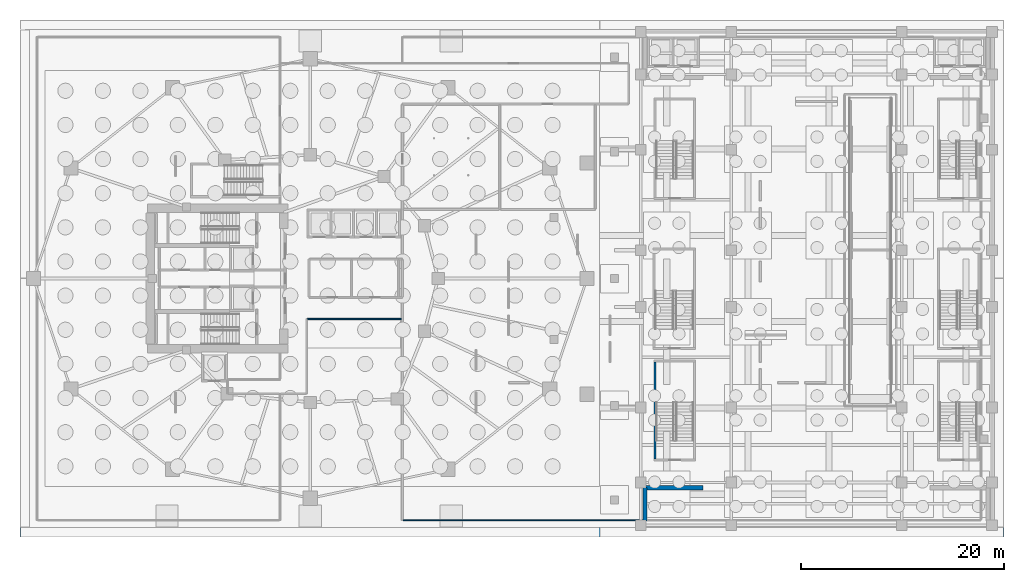
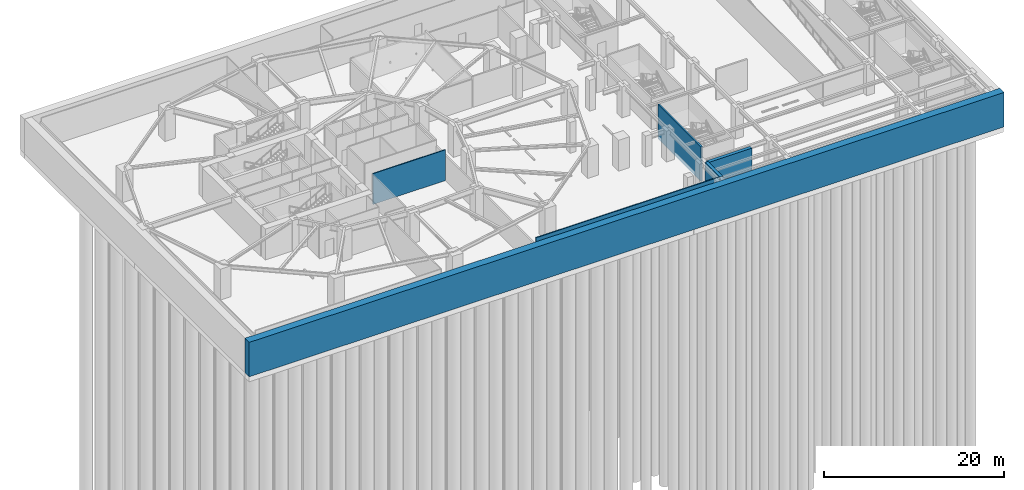
# One storey, part 8 of 19: 6 walls.
"""IFC4 building model written with IfcOpenShell, lengths in metres."""

from ifc_helpers import new_model, si_unit, direction, frame, frame_2d, origin, place, context, subcontext, project, spatial, rectangle, extrude, material, layer, layer_set, type_object, element, save


model = new_model("IFC4")

# Units and contexts
model_context = context("Model", 3, precision=1e-05, world=origin(), true_north=direction((0.0, 1.0)))
body_context = subcontext(model_context, "Body", "Model", "MODEL_VIEW")
ifc_project = project(units=[si_unit("LENGTHUNIT", "METRE"), si_unit("AREAUNIT", "SQUARE_METRE"), si_unit("VOLUMEUNIT", "CUBIC_METRE"), si_unit("PLANEANGLEUNIT", "RADIAN"), si_unit("MASSUNIT", "GRAM", prefix="KILO")], contexts=[model_context])

# Site, building, storey
site_placement = place(None, origin())
site = spatial("IfcSite", under=ifc_project, at=site_placement, CompositionType="ELEMENT")
building_placement = place(site_placement, origin())
building = spatial("IfcBuilding", under=site, at=building_placement, Name="Kolvaren Gate Tower and Convention Centre", CompositionType="ELEMENT")
storey_placement = place(building_placement, frame((0.0, 0.0, -13.5)))
storey = spatial("IfcBuildingStorey", under=building, at=storey_placement, Name="B3", CompositionType="ELEMENT", Elevation=-13.5)

# Walls
ifc_material_1 = material(Name="Fire-Rated Acoustic Gypsum Stud Partition", Category="gypsum")
ifc_layer_1 = layer(ifc_material_1, 0.1201171875)
ifc_layer_set_1 = layer_set([ifc_layer_1], Name="Fire-Rated Acoustic Gypsum Stud Partition")
wall_type_1 = type_object("IfcWallType", Name="ARCH-WL-PART-120", PredefinedType="PARTITIONING", material=ifc_layer_set_1)
wall_1_placement = place(storey_placement, frame((29.842041015625, 23.02001953125, 0.0), z_axis=(0.0, 0.0, 1.0), x_axis=(1.0, 0.0, 0.0)))
element("IfcWall", 1, at=wall_1_placement, inside=storey, type_object=wall_type_1, Name="Interior Partition WL-B3-INT-026", PredefinedType="PARTITIONING", context=body_context, shape_type="SweptSolid", body=[
    extrude(rectangle(XDim=9.265869140625, YDim=0.1201171875, at=frame_2d((4.6328125, 0.0))), origin(), (0.0, 0.0, 1.0), 4.179931640625),
])
wall_2_placement = place(storey_placement, frame((39.2919921875, 3.199951171875, 0.0), z_axis=(0.0, 0.0, 1.0), x_axis=(1.0, 0.0, 0.0)))
element("IfcWall", 2, at=wall_2_placement, inside=storey, type_object=wall_type_1, Name="Interior Partition WL-B3-INT-033", PredefinedType="PARTITIONING", context=body_context, shape_type="SweptSolid", body=[
    extrude(rectangle(XDim=23.595947265625, YDim=0.1201171875, at=frame_2d((11.7978515625, 0.0))), origin(), (0.0, 0.0, 1.0), 4.179931640625),
])
ifc_material_2 = material(Name="Concrete C50/60", Category="concrete")
ifc_layer_2 = layer(ifc_material_2, 0.419921875)
ifc_layer_set_2 = layer_set([ifc_layer_2], Name="Concrete C50/60")
wall_type_2 = type_object("IfcWallType", Name="STR-WL-CONV-420", PredefinedType="SHEAR", material=ifc_layer_set_2)
wall_3_placement = place(storey_placement, frame((63.10009765625, 3.10009765625, -0.5), z_axis=(0.0, 0.0, 1.0), x_axis=(0.0, 1.0, 0.0)))
element("IfcWall", 3, at=wall_3_placement, inside=storey, type_object=wall_type_2, Name="Convention B3 Shear Core Wall CCSW-W", PredefinedType="SHEAR", context=body_context, shape_type="SweptSolid", body=[
    extrude(rectangle(XDim=3.2998046875, YDim=0.419921875, at=frame_2d((1.64990234375, 0.0))), origin(), (0.0, 0.0, 1.0), 4.679931640625),
])
wall_4_placement = place(storey_placement, frame((63.10009765625, 6.39990234375, -0.5), z_axis=(0.0, 0.0, 1.0), x_axis=(1.0, 0.0, 0.0)))
element("IfcWall", 4, at=wall_4_placement, inside=storey, type_object=wall_type_2, Name="Convention B3 Shear Core Wall CCSW-N", PredefinedType="SHEAR", context=body_context, shape_type="SweptSolid", body=[
    extrude(rectangle(XDim=5.699951171875, YDim=0.419921875, at=frame_2d((2.85009765625, 0.0))), origin(), (0.0, 0.0, 1.0), 4.679931640625),
])
ifc_layer_3 = layer(ifc_material_2, 0.949951171875)
ifc_layer_set_3 = layer_set([ifc_layer_3], Name="Concrete C50/60")
wall_type_3 = type_object("IfcWallType", Name="STR-WL-DIAPH-950", PredefinedType="USERDEFINED", material=ifc_layer_set_3)
wall_5_placement = place(storey_placement, frame((1.52490234375, 2.0, -0.5), z_axis=(0.0, 0.0, 1.0), x_axis=(1.0, 0.0, 0.0)))
element("IfcWall", 5, at=wall_5_placement, inside=storey, type_object=wall_type_3, Name="Basement B3 S Perimeter Diaphragm Wall", ObjectType="RETAINING WALL", PredefinedType="USERDEFINED", context=body_context, shape_type="SweptSolid", body=[
    extrude(rectangle(XDim=96.9501953125, YDim=0.949951171875, at=frame_2d((48.47509765625, 0.0))), origin(), (0.0, 0.0, 1.0), 4.679931640625),
])
ifc_layer_4 = layer(ifc_material_2, 0.199951171875)
ifc_layer_set_4 = layer_set([ifc_layer_4], Name="Concrete C50/60")
wall_type_4 = type_object("IfcWallType", Name="STR-WL-SHAFT-200", PredefinedType="SHEAR", material=ifc_layer_set_4)
wall_6_placement = place(storey_placement, frame((64.10009765625, 9.201904296875, -0.5), z_axis=(0.0, 0.0, 1.0), x_axis=(0.0, 1.0, 0.0)))
element("IfcWall", 6, at=wall_6_placement, inside=storey, type_object=wall_type_4, Name="Convention SW Exit Stair ST-C2 B3 Structural Shear Enclosure Wall WEST", PredefinedType="SHEAR", context=body_context, shape_type="SweptSolid", body=[
    extrude(rectangle(XDim=9.59619140625, YDim=0.199951171875, at=frame_2d((4.798095703125, 0.0))), origin(), (0.0, 0.0, 1.0), 4.679931640625),
])

save(model, "model.ifc")
